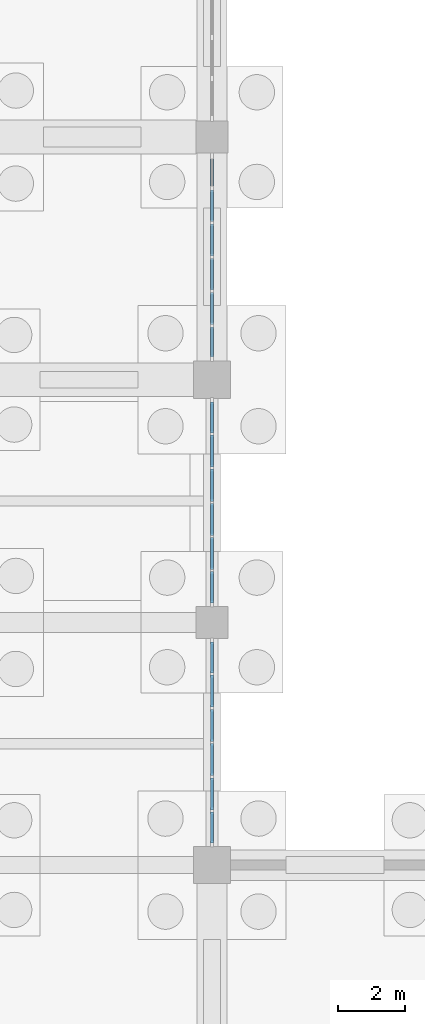
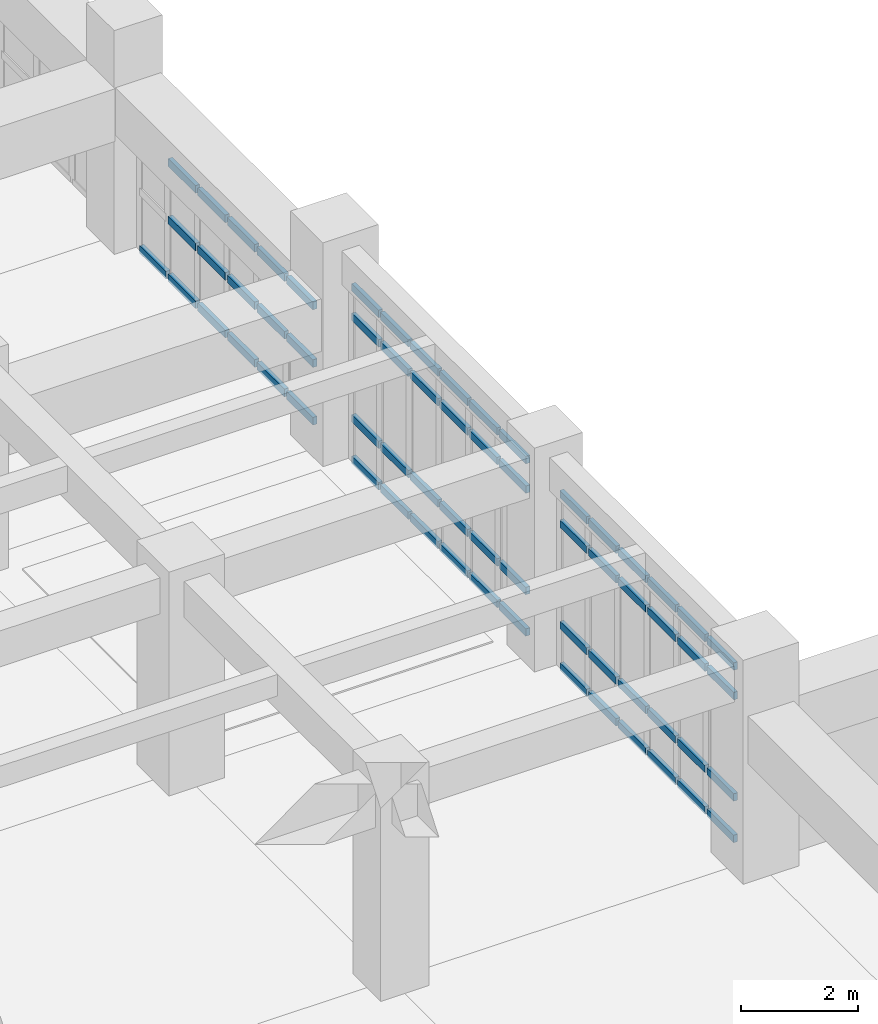
# One storey, part 41 of 79: 64 members, 3 elements without a shape of their own.
"""IFC4 building model written with IfcOpenShell, lengths in metres."""

from ifc_helpers import new_model, si_unit, direction, frame, origin, origin_2d, place, context, subcontext, project, spatial, rectangle, extrude, material, layer, layer_set, material_profile, profile_set, type_object, element, aggregate, save


model = new_model("IFC4")

# Units and contexts
model_context = context("Model", 3, precision=1e-05, world=origin(), true_north=direction((0.0, 1.0)))
body_context = subcontext(model_context, "Body", "Model", "MODEL_VIEW")
ifc_project = project(units=[si_unit("LENGTHUNIT", "METRE"), si_unit("AREAUNIT", "SQUARE_METRE"), si_unit("VOLUMEUNIT", "CUBIC_METRE"), si_unit("PLANEANGLEUNIT", "RADIAN"), si_unit("MASSUNIT", "GRAM", prefix="KILO")], contexts=[model_context])

# Site, building, storey
site_placement = place(None, origin())
site = spatial("IfcSite", under=ifc_project, at=site_placement, CompositionType="ELEMENT")
building_placement = place(site_placement, origin())
building = spatial("IfcBuilding", under=site, at=building_placement, Name="Kavelor Marine Aquarium", CompositionType="ELEMENT")
storey_placement = place(building_placement, origin())
storey = spatial("IfcBuildingStorey", under=building, at=storey_placement, Name="L00", CompositionType="ELEMENT", Elevation=0.0)

# Curtain wall, members
ifc_material_1 = material(Name="Thermally Broken Aluminium and Low-E Glass", Category="aluminium")
ifc_layer_1 = layer(ifc_material_1, 0.156005859375)
ifc_layer_set_1 = layer_set([ifc_layer_1], Name="CW-SYS2")
curtain_wall_type_1 = type_object("IfcCurtainWallType", Name="CW-SYS2", PredefinedType="USERDEFINED", material=ifc_layer_set_1)
curtain_wall_1_placement = place(storey_placement, origin())
curtain_wall_1 = element("IfcCurtainWall", 1, at=curtain_wall_1_placement, inside=storey, type_object=curtain_wall_type_1, Name="cw:y:L00:05_03", ObjectType="Curtain Wall", PredefinedType="USERDEFINED")
ifc_material_2 = material(Name="Anodised Aluminium Alloy 6063-T6", Category="aluminium")
ifc_material_profile_1 = material_profile(ifc_material_2, rectangle(XDim=0.080078125, YDim=0.155029296875, at=origin_2d()), Name="CW-TRN 80x155")
ifc_profile_set_1 = profile_set([ifc_material_profile_1], Name="Anodised Aluminium Alloy 6063-T6")
member_type_1 = type_object("IfcMemberType", Name="CWT-2", PredefinedType="USERDEFINED", material=ifc_profile_set_1)
member_1_placement = place(storey_placement, frame((39.199951171875, 25.06005859375, 0.032470703125), z_axis=(0.0, 1.0, 0.0), x_axis=(-1.0, 0.0, 0.0)))
member_1 = element("IfcMember", 2, at=member_1_placement, type_object=member_type_1, Name="CW02 transom 1.1", ObjectType="TRANSOM", PredefinedType="USERDEFINED", context=body_context, shape_type="SweptSolid", body=[
    extrude(rectangle(XDim=0.080078125, YDim=0.155029296875, at=origin_2d()), origin(), (0.0, 0.0, 1.0), 0.91650390625),
])
member_2_placement = place(storey_placement, frame((39.199951171875, 25.06005859375, 0.89990234375), z_axis=(0.0, 1.0, 0.0), x_axis=(-1.0, 0.0, 0.0)))
member_2 = element("IfcMember", 3, at=member_2_placement, type_object=member_type_1, Name="CW02 transom 1.2", ObjectType="TRANSOM", PredefinedType="USERDEFINED", context=body_context, shape_type="SweptSolid", body=[
    extrude(rectangle(XDim=0.080078125, YDim=0.155029296875, at=origin_2d()), origin(), (0.0, 0.0, 1.0), 0.91650390625),
])
member_3_placement = place(storey_placement, frame((39.199951171875, 25.06005859375, 3.02001953125), z_axis=(0.0, 1.0, 0.0), x_axis=(-1.0, 0.0, 0.0)))
member_3 = element("IfcMember", 4, at=member_3_placement, type_object=member_type_1, Name="CW02 transom 1.3", ObjectType="TRANSOM", PredefinedType="USERDEFINED", context=body_context, shape_type="SweptSolid", body=[
    extrude(rectangle(XDim=0.080078125, YDim=0.155029296875, at=origin_2d()), origin(), (0.0, 0.0, 1.0), 0.91650390625),
])
member_4_placement = place(storey_placement, frame((39.199951171875, 25.06005859375, 3.637451171875), z_axis=(0.0, 1.0, 0.0), x_axis=(-1.0, 0.0, 0.0)))
member_4 = element("IfcMember", 5, at=member_4_placement, type_object=member_type_1, Name="CW02 transom 1.4", ObjectType="TRANSOM", PredefinedType="USERDEFINED", context=body_context, shape_type="SweptSolid", body=[
    extrude(rectangle(XDim=0.080078125, YDim=0.155029296875, at=origin_2d()), origin(), (0.0, 0.0, 1.0), 0.91650390625),
])
member_5_placement = place(storey_placement, frame((39.199951171875, 26.041748046875, 0.032470703125), z_axis=(0.0, 1.0, 0.0), x_axis=(-1.0, 0.0, 0.0)))
member_5 = element("IfcMember", 6, at=member_5_placement, type_object=member_type_1, Name="CW02 transom 2.1", ObjectType="TRANSOM", PredefinedType="USERDEFINED", context=body_context, shape_type="SweptSolid", body=[
    extrude(rectangle(XDim=0.080078125, YDim=0.155029296875, at=origin_2d()), origin(), (0.0, 0.0, 1.0), 0.948974609375),
])
member_6_placement = place(storey_placement, frame((39.199951171875, 26.041748046875, 0.89990234375), z_axis=(0.0, 1.0, 0.0), x_axis=(-1.0, 0.0, 0.0)))
member_6 = element("IfcMember", 7, at=member_6_placement, type_object=member_type_1, Name="CW02 transom 2.2", ObjectType="TRANSOM", PredefinedType="USERDEFINED", context=body_context, shape_type="SweptSolid", body=[
    extrude(rectangle(XDim=0.080078125, YDim=0.155029296875, at=origin_2d()), origin(), (0.0, 0.0, 1.0), 0.948974609375),
])
member_7_placement = place(storey_placement, frame((39.199951171875, 26.041748046875, 3.02001953125), z_axis=(0.0, 1.0, 0.0), x_axis=(-1.0, 0.0, 0.0)))
member_7 = element("IfcMember", 8, at=member_7_placement, type_object=member_type_1, Name="CW02 transom 2.3", ObjectType="TRANSOM", PredefinedType="USERDEFINED", context=body_context, shape_type="SweptSolid", body=[
    extrude(rectangle(XDim=0.080078125, YDim=0.155029296875, at=origin_2d()), origin(), (0.0, 0.0, 1.0), 0.948974609375),
])
member_8_placement = place(storey_placement, frame((39.199951171875, 26.041748046875, 3.637451171875), z_axis=(0.0, 1.0, 0.0), x_axis=(-1.0, 0.0, 0.0)))
member_8 = element("IfcMember", 9, at=member_8_placement, type_object=member_type_1, Name="CW02 transom 2.4", ObjectType="TRANSOM", PredefinedType="USERDEFINED", context=body_context, shape_type="SweptSolid", body=[
    extrude(rectangle(XDim=0.080078125, YDim=0.155029296875, at=origin_2d()), origin(), (0.0, 0.0, 1.0), 0.948974609375),
])
member_9_placement = place(storey_placement, frame((39.199951171875, 27.055908203125, 0.032470703125), z_axis=(0.0, 1.0, 0.0), x_axis=(-1.0, 0.0, 0.0)))
member_9 = element("IfcMember", 10, at=member_9_placement, type_object=member_type_1, Name="CW02 transom 3.1", ObjectType="TRANSOM", PredefinedType="USERDEFINED", context=body_context, shape_type="SweptSolid", body=[
    extrude(rectangle(XDim=0.080078125, YDim=0.155029296875, at=origin_2d()), origin(), (0.0, 0.0, 1.0), 0.948974609375),
])
member_10_placement = place(storey_placement, frame((39.199951171875, 27.055908203125, 0.89990234375), z_axis=(0.0, 1.0, 0.0), x_axis=(-1.0, 0.0, 0.0)))
member_10 = element("IfcMember", 11, at=member_10_placement, type_object=member_type_1, Name="CW02 transom 3.2", ObjectType="TRANSOM", PredefinedType="USERDEFINED", context=body_context, shape_type="SweptSolid", body=[
    extrude(rectangle(XDim=0.080078125, YDim=0.155029296875, at=origin_2d()), origin(), (0.0, 0.0, 1.0), 0.948974609375),
])
member_11_placement = place(storey_placement, frame((39.199951171875, 27.055908203125, 3.02001953125), z_axis=(0.0, 1.0, 0.0), x_axis=(-1.0, 0.0, 0.0)))
member_11 = element("IfcMember", 12, at=member_11_placement, type_object=member_type_1, Name="CW02 transom 3.3", ObjectType="TRANSOM", PredefinedType="USERDEFINED", context=body_context, shape_type="SweptSolid", body=[
    extrude(rectangle(XDim=0.080078125, YDim=0.155029296875, at=origin_2d()), origin(), (0.0, 0.0, 1.0), 0.948974609375),
])
member_12_placement = place(storey_placement, frame((39.199951171875, 27.055908203125, 3.637451171875), z_axis=(0.0, 1.0, 0.0), x_axis=(-1.0, 0.0, 0.0)))
member_12 = element("IfcMember", 13, at=member_12_placement, type_object=member_type_1, Name="CW02 transom 3.4", ObjectType="TRANSOM", PredefinedType="USERDEFINED", context=body_context, shape_type="SweptSolid", body=[
    extrude(rectangle(XDim=0.080078125, YDim=0.155029296875, at=origin_2d()), origin(), (0.0, 0.0, 1.0), 0.948974609375),
])
member_13_placement = place(storey_placement, frame((39.199951171875, 28.070068359375, 0.032470703125), z_axis=(0.0, 1.0, 0.0), x_axis=(-1.0, 0.0, 0.0)))
member_13 = element("IfcMember", 14, at=member_13_placement, type_object=member_type_1, Name="CW02 transom 4.1", ObjectType="TRANSOM", PredefinedType="USERDEFINED", context=body_context, shape_type="SweptSolid", body=[
    extrude(rectangle(XDim=0.080078125, YDim=0.155029296875, at=origin_2d()), origin(), (0.0, 0.0, 1.0), 0.94921875),
])
member_14_placement = place(storey_placement, frame((39.199951171875, 28.070068359375, 0.89990234375), z_axis=(0.0, 1.0, 0.0), x_axis=(-1.0, 0.0, 0.0)))
member_14 = element("IfcMember", 15, at=member_14_placement, type_object=member_type_1, Name="CW02 transom 4.2", ObjectType="TRANSOM", PredefinedType="USERDEFINED", context=body_context, shape_type="SweptSolid", body=[
    extrude(rectangle(XDim=0.080078125, YDim=0.155029296875, at=origin_2d()), origin(), (0.0, 0.0, 1.0), 0.94921875),
])
member_15_placement = place(storey_placement, frame((39.199951171875, 28.070068359375, 3.02001953125), z_axis=(0.0, 1.0, 0.0), x_axis=(-1.0, 0.0, 0.0)))
member_15 = element("IfcMember", 16, at=member_15_placement, type_object=member_type_1, Name="CW02 transom 4.3", ObjectType="TRANSOM", PredefinedType="USERDEFINED", context=body_context, shape_type="SweptSolid", body=[
    extrude(rectangle(XDim=0.080078125, YDim=0.155029296875, at=origin_2d()), origin(), (0.0, 0.0, 1.0), 0.94921875),
])
member_16_placement = place(storey_placement, frame((39.199951171875, 28.070068359375, 3.637451171875), z_axis=(0.0, 1.0, 0.0), x_axis=(-1.0, 0.0, 0.0)))
member_16 = element("IfcMember", 17, at=member_16_placement, type_object=member_type_1, Name="CW02 transom 4.4", ObjectType="TRANSOM", PredefinedType="USERDEFINED", context=body_context, shape_type="SweptSolid", body=[
    extrude(rectangle(XDim=0.080078125, YDim=0.155029296875, at=origin_2d()), origin(), (0.0, 0.0, 1.0), 0.94921875),
])
member_17_placement = place(storey_placement, frame((39.199951171875, 29.084228515625, 0.032470703125), z_axis=(0.0, 1.0, 0.0), x_axis=(-1.0, 0.0, 0.0)))
member_17 = element("IfcMember", 18, at=member_17_placement, type_object=member_type_1, Name="CW02 transom 5.1", ObjectType="TRANSOM", PredefinedType="USERDEFINED", context=body_context, shape_type="SweptSolid", body=[
    extrude(rectangle(XDim=0.080078125, YDim=0.155029296875, at=origin_2d()), origin(), (0.0, 0.0, 1.0), 0.94921875),
])
member_18_placement = place(storey_placement, frame((39.199951171875, 29.084228515625, 0.89990234375), z_axis=(0.0, 1.0, 0.0), x_axis=(-1.0, 0.0, 0.0)))
member_18 = element("IfcMember", 19, at=member_18_placement, type_object=member_type_1, Name="CW02 transom 5.2", ObjectType="TRANSOM", PredefinedType="USERDEFINED", context=body_context, shape_type="SweptSolid", body=[
    extrude(rectangle(XDim=0.080078125, YDim=0.155029296875, at=origin_2d()), origin(), (0.0, 0.0, 1.0), 0.94921875),
])
member_19_placement = place(storey_placement, frame((39.199951171875, 29.084228515625, 3.02001953125), z_axis=(0.0, 1.0, 0.0), x_axis=(-1.0, 0.0, 0.0)))
member_19 = element("IfcMember", 20, at=member_19_placement, type_object=member_type_1, Name="CW02 transom 5.3", ObjectType="TRANSOM", PredefinedType="USERDEFINED", context=body_context, shape_type="SweptSolid", body=[
    extrude(rectangle(XDim=0.080078125, YDim=0.155029296875, at=origin_2d()), origin(), (0.0, 0.0, 1.0), 0.94921875),
])
member_20_placement = place(storey_placement, frame((39.199951171875, 29.084228515625, 3.637451171875), z_axis=(0.0, 1.0, 0.0), x_axis=(-1.0, 0.0, 0.0)))
member_20 = element("IfcMember", 21, at=member_20_placement, type_object=member_type_1, Name="CW02 transom 5.4", ObjectType="TRANSOM", PredefinedType="USERDEFINED", context=body_context, shape_type="SweptSolid", body=[
    extrude(rectangle(XDim=0.080078125, YDim=0.155029296875, at=origin_2d()), origin(), (0.0, 0.0, 1.0), 0.94921875),
])
member_21_placement = place(storey_placement, frame((39.199951171875, 30.098388671875, 0.032470703125), z_axis=(0.0, 1.0, 0.0), x_axis=(-1.0, 0.0, 0.0)))
member_21 = element("IfcMember", 22, at=member_21_placement, type_object=member_type_1, Name="CW02 transom 6.1", ObjectType="TRANSOM", PredefinedType="USERDEFINED", context=body_context, shape_type="SweptSolid", body=[
    extrude(rectangle(XDim=0.080078125, YDim=0.155029296875, at=origin_2d()), origin(), (0.0, 0.0, 1.0), 0.91650390625),
])
member_22_placement = place(storey_placement, frame((39.199951171875, 30.098388671875, 0.89990234375), z_axis=(0.0, 1.0, 0.0), x_axis=(-1.0, 0.0, 0.0)))
member_22 = element("IfcMember", 23, at=member_22_placement, type_object=member_type_1, Name="CW02 transom 6.2", ObjectType="TRANSOM", PredefinedType="USERDEFINED", context=body_context, shape_type="SweptSolid", body=[
    extrude(rectangle(XDim=0.080078125, YDim=0.155029296875, at=origin_2d()), origin(), (0.0, 0.0, 1.0), 0.91650390625),
])
member_23_placement = place(storey_placement, frame((39.199951171875, 30.098388671875, 3.02001953125), z_axis=(0.0, 1.0, 0.0), x_axis=(-1.0, 0.0, 0.0)))
member_23 = element("IfcMember", 24, at=member_23_placement, type_object=member_type_1, Name="CW02 transom 6.3", ObjectType="TRANSOM", PredefinedType="USERDEFINED", context=body_context, shape_type="SweptSolid", body=[
    extrude(rectangle(XDim=0.080078125, YDim=0.155029296875, at=origin_2d()), origin(), (0.0, 0.0, 1.0), 0.91650390625),
])
member_24_placement = place(storey_placement, frame((39.199951171875, 30.098388671875, 3.637451171875), z_axis=(0.0, 1.0, 0.0), x_axis=(-1.0, 0.0, 0.0)))
member_24 = element("IfcMember", 25, at=member_24_placement, type_object=member_type_1, Name="CW02 transom 6.4", ObjectType="TRANSOM", PredefinedType="USERDEFINED", context=body_context, shape_type="SweptSolid", body=[
    extrude(rectangle(XDim=0.080078125, YDim=0.155029296875, at=origin_2d()), origin(), (0.0, 0.0, 1.0), 0.91650390625),
])
aggregate(curtain_wall_1, [member_1, member_2, member_3, member_4, member_5, member_6, member_7, member_8, member_9, member_10, member_11, member_12, member_13, member_14, member_15, member_16, member_17, member_18, member_19, member_20, member_21, member_22, member_23, member_24])

ifc_material_3 = material(Name="Thermally Broken Aluminium and Low-E Glass", Category="aluminium")
ifc_layer_2 = layer(ifc_material_3, 0.1640625)
ifc_layer_set_2 = layer_set([ifc_layer_2], Name="CW-SYS3")
curtain_wall_type_2 = type_object("IfcCurtainWallType", Name="CW-SYS3", PredefinedType="USERDEFINED", material=ifc_layer_set_2)
curtain_wall_2_placement = place(storey_placement, origin())
curtain_wall_2 = element("IfcCurtainWall", 26, at=curtain_wall_2_placement, inside=storey, type_object=curtain_wall_type_2, Name="cw:y:L00:05_04", ObjectType="Curtain Wall", PredefinedType="USERDEFINED")
member_25_placement = place(storey_placement, frame((39.199951171875, 32.179931640625, 0.032470703125), z_axis=(0.0, 1.0, 0.0), x_axis=(-1.0, 0.0, 0.0)))
member_25 = element("IfcMember", 27, at=member_25_placement, type_object=member_type_1, Name="CW03 transom 1.1", ObjectType="TRANSOM", PredefinedType="USERDEFINED", context=body_context, shape_type="SweptSolid", body=[
    extrude(rectangle(XDim=0.080078125, YDim=0.155029296875, at=origin_2d()), origin(), (0.0, 0.0, 1.0), 0.92431640625),
])
member_26_placement = place(storey_placement, frame((39.199951171875, 32.179931640625, 0.89990234375), z_axis=(0.0, 1.0, 0.0), x_axis=(-1.0, 0.0, 0.0)))
member_26 = element("IfcMember", 28, at=member_26_placement, type_object=member_type_1, Name="CW03 transom 1.2", ObjectType="TRANSOM", PredefinedType="USERDEFINED", context=body_context, shape_type="SweptSolid", body=[
    extrude(rectangle(XDim=0.080078125, YDim=0.155029296875, at=origin_2d()), origin(), (0.0, 0.0, 1.0), 0.92431640625),
])
member_27_placement = place(storey_placement, frame((39.199951171875, 32.179931640625, 3.02001953125), z_axis=(0.0, 1.0, 0.0), x_axis=(-1.0, 0.0, 0.0)))
member_27 = element("IfcMember", 29, at=member_27_placement, type_object=member_type_1, Name="CW03 transom 1.3", ObjectType="TRANSOM", PredefinedType="USERDEFINED", context=body_context, shape_type="SweptSolid", body=[
    extrude(rectangle(XDim=0.080078125, YDim=0.155029296875, at=origin_2d()), origin(), (0.0, 0.0, 1.0), 0.92431640625),
])
member_28_placement = place(storey_placement, frame((39.199951171875, 32.179931640625, 3.637451171875), z_axis=(0.0, 1.0, 0.0), x_axis=(-1.0, 0.0, 0.0)))
member_28 = element("IfcMember", 30, at=member_28_placement, type_object=member_type_1, Name="CW03 transom 1.4", ObjectType="TRANSOM", PredefinedType="USERDEFINED", context=body_context, shape_type="SweptSolid", body=[
    extrude(rectangle(XDim=0.080078125, YDim=0.155029296875, at=origin_2d()), origin(), (0.0, 0.0, 1.0), 0.92431640625),
])
member_29_placement = place(storey_placement, frame((39.199951171875, 33.1640625, 0.032470703125), z_axis=(0.0, 1.0, 0.0), x_axis=(-1.0, 0.0, 0.0)))
member_29 = element("IfcMember", 31, at=member_29_placement, type_object=member_type_1, Name="CW03 transom 2.1", ObjectType="TRANSOM", PredefinedType="USERDEFINED", context=body_context, shape_type="SweptSolid", body=[
    extrude(rectangle(XDim=0.080078125, YDim=0.155029296875, at=origin_2d()), origin(), (0.0, 0.0, 1.0), 0.954345703125),
])
member_30_placement = place(storey_placement, frame((39.199951171875, 33.1640625, 0.89990234375), z_axis=(0.0, 1.0, 0.0), x_axis=(-1.0, 0.0, 0.0)))
member_30 = element("IfcMember", 32, at=member_30_placement, type_object=member_type_1, Name="CW03 transom 2.2", ObjectType="TRANSOM", PredefinedType="USERDEFINED", context=body_context, shape_type="SweptSolid", body=[
    extrude(rectangle(XDim=0.080078125, YDim=0.155029296875, at=origin_2d()), origin(), (0.0, 0.0, 1.0), 0.954345703125),
])
member_31_placement = place(storey_placement, frame((39.199951171875, 33.1640625, 3.02001953125), z_axis=(0.0, 1.0, 0.0), x_axis=(-1.0, 0.0, 0.0)))
member_31 = element("IfcMember", 33, at=member_31_placement, type_object=member_type_1, Name="CW03 transom 2.3", ObjectType="TRANSOM", PredefinedType="USERDEFINED", context=body_context, shape_type="SweptSolid", body=[
    extrude(rectangle(XDim=0.080078125, YDim=0.155029296875, at=origin_2d()), origin(), (0.0, 0.0, 1.0), 0.954345703125),
])
member_32_placement = place(storey_placement, frame((39.199951171875, 33.1640625, 3.637451171875), z_axis=(0.0, 1.0, 0.0), x_axis=(-1.0, 0.0, 0.0)))
member_32 = element("IfcMember", 34, at=member_32_placement, type_object=member_type_1, Name="CW03 transom 2.4", ObjectType="TRANSOM", PredefinedType="USERDEFINED", context=body_context, shape_type="SweptSolid", body=[
    extrude(rectangle(XDim=0.080078125, YDim=0.155029296875, at=origin_2d()), origin(), (0.0, 0.0, 1.0), 0.954345703125),
])
member_33_placement = place(storey_placement, frame((39.199951171875, 34.17822265625, 0.032470703125), z_axis=(0.0, 1.0, 0.0), x_axis=(-1.0, 0.0, 0.0)))
member_33 = element("IfcMember", 35, at=member_33_placement, type_object=member_type_1, Name="CW03 transom 3.1", ObjectType="TRANSOM", PredefinedType="USERDEFINED", context=body_context, shape_type="SweptSolid", body=[
    extrude(rectangle(XDim=0.080078125, YDim=0.155029296875, at=origin_2d()), origin(), (0.0, 0.0, 1.0), 0.954345703125),
])
member_34_placement = place(storey_placement, frame((39.199951171875, 34.17822265625, 0.89990234375), z_axis=(0.0, 1.0, 0.0), x_axis=(-1.0, 0.0, 0.0)))
member_34 = element("IfcMember", 36, at=member_34_placement, type_object=member_type_1, Name="CW03 transom 3.2", ObjectType="TRANSOM", PredefinedType="USERDEFINED", context=body_context, shape_type="SweptSolid", body=[
    extrude(rectangle(XDim=0.080078125, YDim=0.155029296875, at=origin_2d()), origin(), (0.0, 0.0, 1.0), 0.954345703125),
])
member_35_placement = place(storey_placement, frame((39.199951171875, 34.17822265625, 3.02001953125), z_axis=(0.0, 1.0, 0.0), x_axis=(-1.0, 0.0, 0.0)))
member_35 = element("IfcMember", 37, at=member_35_placement, type_object=member_type_1, Name="CW03 transom 3.3", ObjectType="TRANSOM", PredefinedType="USERDEFINED", context=body_context, shape_type="SweptSolid", body=[
    extrude(rectangle(XDim=0.080078125, YDim=0.155029296875, at=origin_2d()), origin(), (0.0, 0.0, 1.0), 0.954345703125),
])
member_36_placement = place(storey_placement, frame((39.199951171875, 34.17822265625, 3.637451171875), z_axis=(0.0, 1.0, 0.0), x_axis=(-1.0, 0.0, 0.0)))
member_36 = element("IfcMember", 38, at=member_36_placement, type_object=member_type_1, Name="CW03 transom 3.4", ObjectType="TRANSOM", PredefinedType="USERDEFINED", context=body_context, shape_type="SweptSolid", body=[
    extrude(rectangle(XDim=0.080078125, YDim=0.155029296875, at=origin_2d()), origin(), (0.0, 0.0, 1.0), 0.954345703125),
])
member_37_placement = place(storey_placement, frame((39.199951171875, 35.1923828125, 0.032470703125), z_axis=(0.0, 1.0, 0.0), x_axis=(-1.0, 0.0, 0.0)))
member_37 = element("IfcMember", 39, at=member_37_placement, type_object=member_type_1, Name="CW03 transom 4.1", ObjectType="TRANSOM", PredefinedType="USERDEFINED", context=body_context, shape_type="SweptSolid", body=[
    extrude(rectangle(XDim=0.080078125, YDim=0.155029296875, at=origin_2d()), origin(), (0.0, 0.0, 1.0), 0.954345703125),
])
member_38_placement = place(storey_placement, frame((39.199951171875, 35.1923828125, 0.89990234375), z_axis=(0.0, 1.0, 0.0), x_axis=(-1.0, 0.0, 0.0)))
member_38 = element("IfcMember", 40, at=member_38_placement, type_object=member_type_1, Name="CW03 transom 4.2", ObjectType="TRANSOM", PredefinedType="USERDEFINED", context=body_context, shape_type="SweptSolid", body=[
    extrude(rectangle(XDim=0.080078125, YDim=0.155029296875, at=origin_2d()), origin(), (0.0, 0.0, 1.0), 0.954345703125),
])
member_39_placement = place(storey_placement, frame((39.199951171875, 35.1923828125, 3.02001953125), z_axis=(0.0, 1.0, 0.0), x_axis=(-1.0, 0.0, 0.0)))
member_39 = element("IfcMember", 41, at=member_39_placement, type_object=member_type_1, Name="CW03 transom 4.3", ObjectType="TRANSOM", PredefinedType="USERDEFINED", context=body_context, shape_type="SweptSolid", body=[
    extrude(rectangle(XDim=0.080078125, YDim=0.155029296875, at=origin_2d()), origin(), (0.0, 0.0, 1.0), 0.954345703125),
])
member_40_placement = place(storey_placement, frame((39.199951171875, 35.1923828125, 3.637451171875), z_axis=(0.0, 1.0, 0.0), x_axis=(-1.0, 0.0, 0.0)))
member_40 = element("IfcMember", 42, at=member_40_placement, type_object=member_type_1, Name="CW03 transom 4.4", ObjectType="TRANSOM", PredefinedType="USERDEFINED", context=body_context, shape_type="SweptSolid", body=[
    extrude(rectangle(XDim=0.080078125, YDim=0.155029296875, at=origin_2d()), origin(), (0.0, 0.0, 1.0), 0.954345703125),
])
member_41_placement = place(storey_placement, frame((39.199951171875, 36.206787109375, 0.032470703125), z_axis=(0.0, 1.0, 0.0), x_axis=(-1.0, 0.0, 0.0)))
member_41 = element("IfcMember", 43, at=member_41_placement, type_object=member_type_1, Name="CW03 transom 5.1", ObjectType="TRANSOM", PredefinedType="USERDEFINED", context=body_context, shape_type="SweptSolid", body=[
    extrude(rectangle(XDim=0.080078125, YDim=0.155029296875, at=origin_2d()), origin(), (0.0, 0.0, 1.0), 0.9541015625),
])
member_42_placement = place(storey_placement, frame((39.199951171875, 36.206787109375, 0.89990234375), z_axis=(0.0, 1.0, 0.0), x_axis=(-1.0, 0.0, 0.0)))
member_42 = element("IfcMember", 44, at=member_42_placement, type_object=member_type_1, Name="CW03 transom 5.2", ObjectType="TRANSOM", PredefinedType="USERDEFINED", context=body_context, shape_type="SweptSolid", body=[
    extrude(rectangle(XDim=0.080078125, YDim=0.155029296875, at=origin_2d()), origin(), (0.0, 0.0, 1.0), 0.9541015625),
])
member_43_placement = place(storey_placement, frame((39.199951171875, 36.206787109375, 3.02001953125), z_axis=(0.0, 1.0, 0.0), x_axis=(-1.0, 0.0, 0.0)))
member_43 = element("IfcMember", 45, at=member_43_placement, type_object=member_type_1, Name="CW03 transom 5.3", ObjectType="TRANSOM", PredefinedType="USERDEFINED", context=body_context, shape_type="SweptSolid", body=[
    extrude(rectangle(XDim=0.080078125, YDim=0.155029296875, at=origin_2d()), origin(), (0.0, 0.0, 1.0), 0.9541015625),
])
member_44_placement = place(storey_placement, frame((39.199951171875, 36.206787109375, 3.637451171875), z_axis=(0.0, 1.0, 0.0), x_axis=(-1.0, 0.0, 0.0)))
member_44 = element("IfcMember", 46, at=member_44_placement, type_object=member_type_1, Name="CW03 transom 5.4", ObjectType="TRANSOM", PredefinedType="USERDEFINED", context=body_context, shape_type="SweptSolid", body=[
    extrude(rectangle(XDim=0.080078125, YDim=0.155029296875, at=origin_2d()), origin(), (0.0, 0.0, 1.0), 0.9541015625),
])
member_45_placement = place(storey_placement, frame((39.199951171875, 37.220947265625, 0.032470703125), z_axis=(0.0, 1.0, 0.0), x_axis=(-1.0, 0.0, 0.0)))
member_45 = element("IfcMember", 47, at=member_45_placement, type_object=member_type_1, Name="CW03 transom 6.1", ObjectType="TRANSOM", PredefinedType="USERDEFINED", context=body_context, shape_type="SweptSolid", body=[
    extrude(rectangle(XDim=0.080078125, YDim=0.155029296875, at=origin_2d()), origin(), (0.0, 0.0, 1.0), 0.924072265625),
])
member_46_placement = place(storey_placement, frame((39.199951171875, 37.220947265625, 0.89990234375), z_axis=(0.0, 1.0, 0.0), x_axis=(-1.0, 0.0, 0.0)))
member_46 = element("IfcMember", 48, at=member_46_placement, type_object=member_type_1, Name="CW03 transom 6.2", ObjectType="TRANSOM", PredefinedType="USERDEFINED", context=body_context, shape_type="SweptSolid", body=[
    extrude(rectangle(XDim=0.080078125, YDim=0.155029296875, at=origin_2d()), origin(), (0.0, 0.0, 1.0), 0.924072265625),
])
member_47_placement = place(storey_placement, frame((39.199951171875, 37.220947265625, 3.02001953125), z_axis=(0.0, 1.0, 0.0), x_axis=(-1.0, 0.0, 0.0)))
member_47 = element("IfcMember", 49, at=member_47_placement, type_object=member_type_1, Name="CW03 transom 6.3", ObjectType="TRANSOM", PredefinedType="USERDEFINED", context=body_context, shape_type="SweptSolid", body=[
    extrude(rectangle(XDim=0.080078125, YDim=0.155029296875, at=origin_2d()), origin(), (0.0, 0.0, 1.0), 0.924072265625),
])
member_48_placement = place(storey_placement, frame((39.199951171875, 37.220947265625, 3.637451171875), z_axis=(0.0, 1.0, 0.0), x_axis=(-1.0, 0.0, 0.0)))
member_48 = element("IfcMember", 50, at=member_48_placement, type_object=member_type_1, Name="CW03 transom 6.4", ObjectType="TRANSOM", PredefinedType="USERDEFINED", context=body_context, shape_type="SweptSolid", body=[
    extrude(rectangle(XDim=0.080078125, YDim=0.155029296875, at=origin_2d()), origin(), (0.0, 0.0, 1.0), 0.924072265625),
])
aggregate(curtain_wall_2, [member_25, member_26, member_27, member_28, member_29, member_30, member_31, member_32, member_33, member_34, member_35, member_36, member_37, member_38, member_39, member_40, member_41, member_42, member_43, member_44, member_45, member_46, member_47, member_48])

ifc_material_4 = material(Name="Thermally Broken Aluminium and Low-E Glass", Category="aluminium")
ifc_layer_3 = layer(ifc_material_4, 0.172119140625)
ifc_layer_set_3 = layer_set([ifc_layer_3], Name="CW-SYS4")
curtain_wall_type_3 = type_object("IfcCurtainWallType", Name="CW-SYS4", PredefinedType="USERDEFINED", material=ifc_layer_set_3)
curtain_wall_3_placement = place(storey_placement, origin())
curtain_wall_3 = element("IfcCurtainWall", 51, at=curtain_wall_3_placement, inside=storey, type_object=curtain_wall_type_3, Name="cw:y:L00:05_05", ObjectType="Curtain Wall", PredefinedType="USERDEFINED")
ifc_material_5 = material(Name="Anodised Aluminium Alloy 6063-T6", Category="aluminium")
ifc_material_profile_2 = material_profile(ifc_material_5, rectangle(XDim=0.0849609375, YDim=0.159912109375, at=origin_2d()), Name="CW-TRN 85x160")
ifc_profile_set_2 = profile_set([ifc_material_profile_2], Name="Anodised Aluminium Alloy 6063-T6")
member_type_2 = type_object("IfcMemberType", Name="CWT-3", PredefinedType="USERDEFINED", material=ifc_profile_set_2)
member_49_placement = place(storey_placement, frame((39.199951171875, 39.469970703125, 0.030029296875), z_axis=(0.0, 1.0, 0.0), x_axis=(-1.0, 0.0, 0.0)))
member_49 = element("IfcMember", 52, at=member_49_placement, type_object=member_type_2, Name="CW04 transom 1.1", ObjectType="TRANSOM", PredefinedType="USERDEFINED", context=body_context, shape_type="SweptSolid", body=[
    extrude(rectangle(XDim=0.0849609375, YDim=0.159912109375, at=origin_2d()), origin(), (0.0, 0.0, 1.0), 0.901611328125),
])
member_50_placement = place(storey_placement, frame((39.199951171875, 39.469970703125, 1.235107421875), z_axis=(0.0, 1.0, 0.0), x_axis=(-1.0, 0.0, 0.0)))
member_50 = element("IfcMember", 53, at=member_50_placement, type_object=member_type_2, Name="CW04 transom 1.2", ObjectType="TRANSOM", PredefinedType="USERDEFINED", context=body_context, shape_type="SweptSolid", body=[
    extrude(rectangle(XDim=0.0849609375, YDim=0.159912109375, at=origin_2d()), origin(), (0.0, 0.0, 1.0), 0.901611328125),
])
member_51_placement = place(storey_placement, frame((39.199951171875, 39.469970703125, 2.43994140625), z_axis=(0.0, 1.0, 0.0), x_axis=(-1.0, 0.0, 0.0)))
member_51 = element("IfcMember", 54, at=member_51_placement, type_object=member_type_2, Name="CW04 transom 1.3", ObjectType="TRANSOM", PredefinedType="USERDEFINED", context=body_context, shape_type="SweptSolid", body=[
    extrude(rectangle(XDim=0.0849609375, YDim=0.159912109375, at=origin_2d()), origin(), (0.0, 0.0, 1.0), 0.901611328125),
])
member_52_placement = place(storey_placement, frame((39.199951171875, 40.44677734375, 0.030029296875), z_axis=(0.0, 1.0, 0.0), x_axis=(-1.0, 0.0, 0.0)))
member_52 = element("IfcMember", 55, at=member_52_placement, type_object=member_type_2, Name="CW04 transom 2.1", ObjectType="TRANSOM", PredefinedType="USERDEFINED", context=body_context, shape_type="SweptSolid", body=[
    extrude(rectangle(XDim=0.0849609375, YDim=0.159912109375, at=origin_2d()), origin(), (0.0, 0.0, 1.0), 0.93896484375),
])
member_53_placement = place(storey_placement, frame((39.199951171875, 40.44677734375, 1.235107421875), z_axis=(0.0, 1.0, 0.0), x_axis=(-1.0, 0.0, 0.0)))
member_53 = element("IfcMember", 56, at=member_53_placement, type_object=member_type_2, Name="CW04 transom 2.2", ObjectType="TRANSOM", PredefinedType="USERDEFINED", context=body_context, shape_type="SweptSolid", body=[
    extrude(rectangle(XDim=0.0849609375, YDim=0.159912109375, at=origin_2d()), origin(), (0.0, 0.0, 1.0), 0.93896484375),
])
member_54_placement = place(storey_placement, frame((39.199951171875, 40.44677734375, 2.43994140625), z_axis=(0.0, 1.0, 0.0), x_axis=(-1.0, 0.0, 0.0)))
member_54 = element("IfcMember", 57, at=member_54_placement, type_object=member_type_2, Name="CW04 transom 2.3", ObjectType="TRANSOM", PredefinedType="USERDEFINED", context=body_context, shape_type="SweptSolid", body=[
    extrude(rectangle(XDim=0.0849609375, YDim=0.159912109375, at=origin_2d()), origin(), (0.0, 0.0, 1.0), 0.93896484375),
])
member_55_placement = place(storey_placement, frame((39.199951171875, 41.4609375, 0.030029296875), z_axis=(0.0, 1.0, 0.0), x_axis=(-1.0, 0.0, 0.0)))
member_55 = element("IfcMember", 58, at=member_55_placement, type_object=member_type_2, Name="CW04 transom 3.1", ObjectType="TRANSOM", PredefinedType="USERDEFINED", context=body_context, shape_type="SweptSolid", body=[
    extrude(rectangle(XDim=0.0849609375, YDim=0.159912109375, at=origin_2d()), origin(), (0.0, 0.0, 1.0), 0.93896484375),
])
member_56_placement = place(storey_placement, frame((39.199951171875, 41.4609375, 1.235107421875), z_axis=(0.0, 1.0, 0.0), x_axis=(-1.0, 0.0, 0.0)))
member_56 = element("IfcMember", 59, at=member_56_placement, type_object=member_type_2, Name="CW04 transom 3.2", ObjectType="TRANSOM", PredefinedType="USERDEFINED", context=body_context, shape_type="SweptSolid", body=[
    extrude(rectangle(XDim=0.0849609375, YDim=0.159912109375, at=origin_2d()), origin(), (0.0, 0.0, 1.0), 0.93896484375),
])
member_57_placement = place(storey_placement, frame((39.199951171875, 41.4609375, 2.43994140625), z_axis=(0.0, 1.0, 0.0), x_axis=(-1.0, 0.0, 0.0)))
member_57 = element("IfcMember", 60, at=member_57_placement, type_object=member_type_2, Name="CW04 transom 3.3", ObjectType="TRANSOM", PredefinedType="USERDEFINED", context=body_context, shape_type="SweptSolid", body=[
    extrude(rectangle(XDim=0.0849609375, YDim=0.159912109375, at=origin_2d()), origin(), (0.0, 0.0, 1.0), 0.93896484375),
])
member_58_placement = place(storey_placement, frame((39.199951171875, 42.47509765625, 0.030029296875), z_axis=(0.0, 1.0, 0.0), x_axis=(-1.0, 0.0, 0.0)))
member_58 = element("IfcMember", 61, at=member_58_placement, type_object=member_type_2, Name="CW04 transom 4.1", ObjectType="TRANSOM", PredefinedType="USERDEFINED", context=body_context, shape_type="SweptSolid", body=[
    extrude(rectangle(XDim=0.0849609375, YDim=0.159912109375, at=origin_2d()), origin(), (0.0, 0.0, 1.0), 0.93896484375),
])
member_59_placement = place(storey_placement, frame((39.199951171875, 42.47509765625, 1.235107421875), z_axis=(0.0, 1.0, 0.0), x_axis=(-1.0, 0.0, 0.0)))
member_59 = element("IfcMember", 62, at=member_59_placement, type_object=member_type_2, Name="CW04 transom 4.2", ObjectType="TRANSOM", PredefinedType="USERDEFINED", context=body_context, shape_type="SweptSolid", body=[
    extrude(rectangle(XDim=0.0849609375, YDim=0.159912109375, at=origin_2d()), origin(), (0.0, 0.0, 1.0), 0.93896484375),
])
member_60_placement = place(storey_placement, frame((39.199951171875, 42.47509765625, 2.43994140625), z_axis=(0.0, 1.0, 0.0), x_axis=(-1.0, 0.0, 0.0)))
member_60 = element("IfcMember", 63, at=member_60_placement, type_object=member_type_2, Name="CW04 transom 4.3", ObjectType="TRANSOM", PredefinedType="USERDEFINED", context=body_context, shape_type="SweptSolid", body=[
    extrude(rectangle(XDim=0.0849609375, YDim=0.159912109375, at=origin_2d()), origin(), (0.0, 0.0, 1.0), 0.93896484375),
])
member_61_placement = place(storey_placement, frame((39.199951171875, 43.4892578125, 0.030029296875), z_axis=(0.0, 1.0, 0.0), x_axis=(-1.0, 0.0, 0.0)))
member_61 = element("IfcMember", 64, at=member_61_placement, type_object=member_type_2, Name="CW04 transom 5.1", ObjectType="TRANSOM", PredefinedType="USERDEFINED", context=body_context, shape_type="SweptSolid", body=[
    extrude(rectangle(XDim=0.0849609375, YDim=0.159912109375, at=origin_2d()), origin(), (0.0, 0.0, 1.0), 0.93896484375),
])
member_62_placement = place(storey_placement, frame((39.199951171875, 43.4892578125, 1.235107421875), z_axis=(0.0, 1.0, 0.0), x_axis=(-1.0, 0.0, 0.0)))
member_62 = element("IfcMember", 65, at=member_62_placement, type_object=member_type_2, Name="CW04 transom 5.2", ObjectType="TRANSOM", PredefinedType="USERDEFINED", context=body_context, shape_type="SweptSolid", body=[
    extrude(rectangle(XDim=0.0849609375, YDim=0.159912109375, at=origin_2d()), origin(), (0.0, 0.0, 1.0), 0.93896484375),
])
member_63_placement = place(storey_placement, frame((39.199951171875, 43.4892578125, 2.43994140625), z_axis=(0.0, 1.0, 0.0), x_axis=(-1.0, 0.0, 0.0)))
member_63 = element("IfcMember", 66, at=member_63_placement, type_object=member_type_2, Name="CW04 transom 5.3", ObjectType="TRANSOM", PredefinedType="USERDEFINED", context=body_context, shape_type="SweptSolid", body=[
    extrude(rectangle(XDim=0.0849609375, YDim=0.159912109375, at=origin_2d()), origin(), (0.0, 0.0, 1.0), 0.93896484375),
])
member_64_placement = place(storey_placement, frame((39.199951171875, 44.50341796875, 0.030029296875), z_axis=(0.0, 1.0, 0.0), x_axis=(-1.0, 0.0, 0.0)))
member_64 = element("IfcMember", 67, at=member_64_placement, type_object=member_type_2, Name="CW04 transom 6.1", ObjectType="TRANSOM", PredefinedType="USERDEFINED", context=body_context, shape_type="SweptSolid", body=[
    extrude(rectangle(XDim=0.0849609375, YDim=0.159912109375, at=origin_2d()), origin(), (0.0, 0.0, 1.0), 0.901611328125),
])
aggregate(curtain_wall_3, [member_49, member_50, member_51, member_52, member_53, member_54, member_55, member_56, member_57, member_58, member_59, member_60, member_61, member_62, member_63, member_64])

save(model, "model.ifc")
